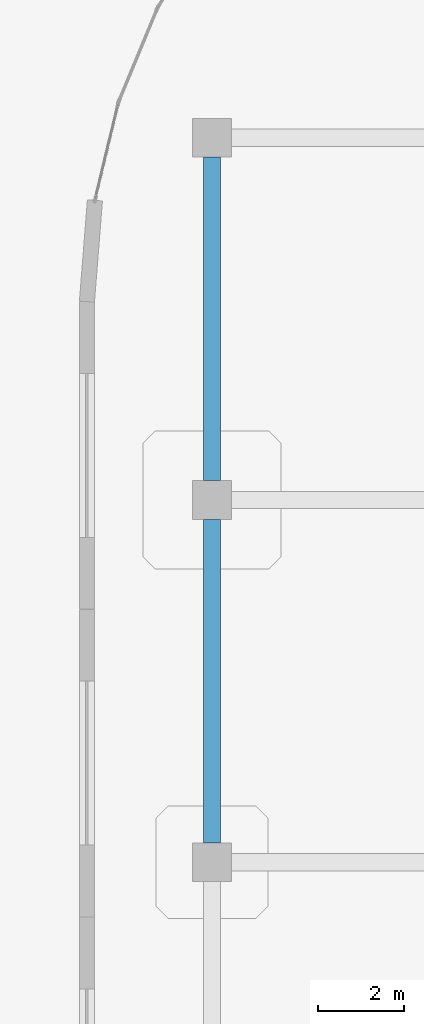
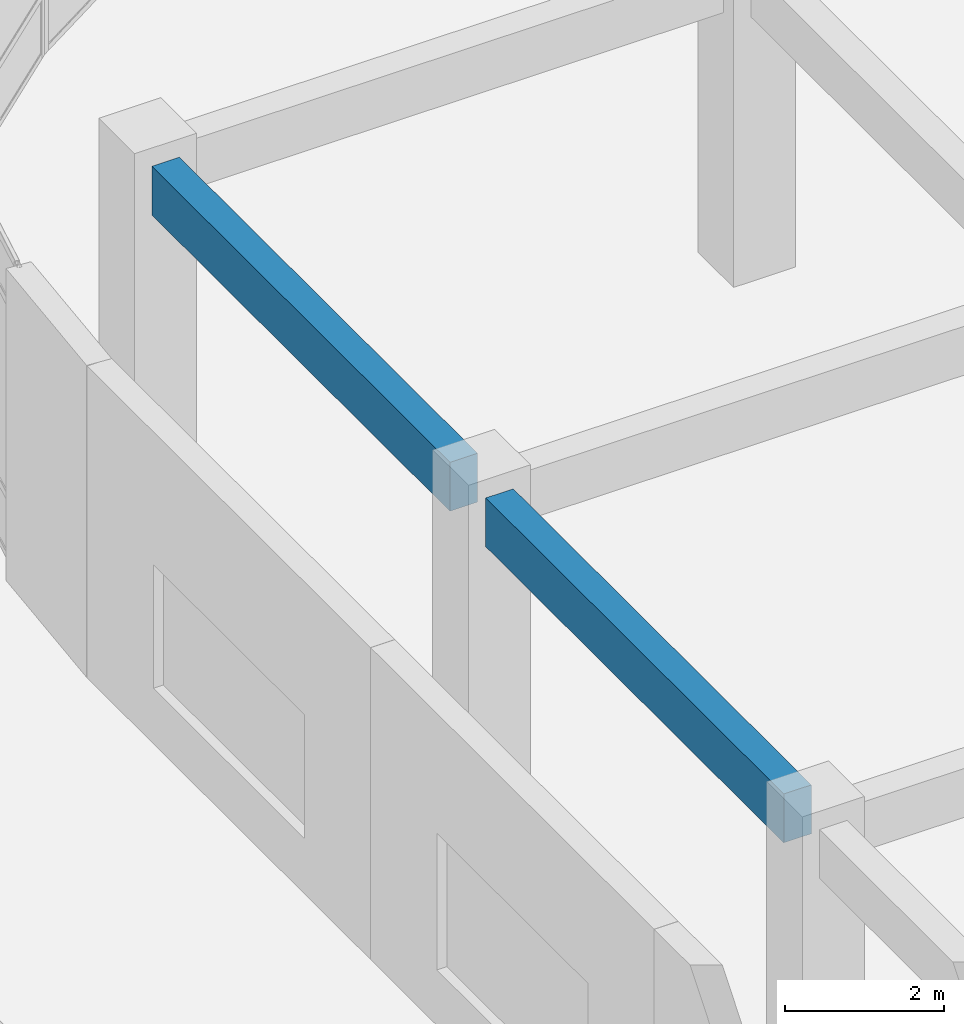
# One storey, part 50 of 120: 2 beams.
"""IFC4 building model written with IfcOpenShell, lengths in metres."""

import ifcopenshell
import ifcopenshell.guid

model = None  # the IFC model being written
_history = None  # IfcOwnerHistory: only IFC2X3 demands one
_inside = {}  # id of a spatial element -> (the spatial element, [elements in it])
_under = {}  # id of a project, library or spatial element -> (it, [spatial elements below it])
_declared = {}  # id of a project -> (the project, [libraries it declares])
_typed = {}  # id of a type object -> (the type object, [elements of that type])
_made_of = {}  # id of a material, layer set ... -> (it, [elements and type objects made of it])


def new_model(schema):
    """Start an empty IFC model of exactly this schema.

    Asked for "IFC4X3", IfcOpenShell would pick the latest addendum, in which some entities
    have other attributes; the version numbers below select the first issue.
    IFC2X3 requires an IfcOwnerHistory on every rooted entity: one is made here for all.
    """
    global model, _history
    if schema == "IFC4X3":
        model = ifcopenshell.file(schema_version=(4, 3, 0, 0))
    else:
        model = ifcopenshell.file(schema=schema)
    _inside.clear()
    _under.clear()
    _declared.clear()
    _typed.clear()
    _made_of.clear()
    _history = None
    if model.schema == "IFC2X3":
        org = make("IfcOrganization", Name="unknown")
        user = make(
            "IfcPersonAndOrganization",
            ThePerson=make("IfcPerson", FamilyName="unknown"),
            TheOrganization=org,
        )
        app = make(
            "IfcApplication",
            ApplicationDeveloper=org,
            Version="unknown",
            ApplicationFullName="unknown",
            ApplicationIdentifier="unknown",
        )
        _history = make(
            "IfcOwnerHistory",
            OwningUser=user,
            OwningApplication=app,
            ChangeAction="ADDED",
            CreationDate=0,
        )
    return model


def make(cls, **values):
    """One entity of the class cls with the attributes given. An attribute that is None is left unset."""
    return model.create_entity(
        cls, **{name: value for name, value in values.items() if value is not None}
    )


def rooted(cls, **values):
    """An entity with a GlobalId (a new one), such as an element, a storey or a relation."""
    return make(cls, GlobalId=ifcopenshell.guid.new(), OwnerHistory=_history, **values)


def si_unit(unit_type, name, prefix=None):
    """IfcSIUnit, for example si_unit("LENGTHUNIT", "METRE", prefix="MILLI")."""
    return make("IfcSIUnit", UnitType=unit_type, Prefix=prefix, Name=name)


def derived_unit(unit_type, elements):
    """IfcDerivedUnit: a product of units, each with its exponent."""
    return make(
        "IfcDerivedUnit",
        Elements=[
            make("IfcDerivedUnitElement", Unit=unit, Exponent=power)
            for unit, power in elements
        ],
        UnitType=unit_type,
    )


def assignment(units):
    """IfcUnitAssignment: the units of a project."""
    return None if units is None else make("IfcUnitAssignment", Units=units)


def point(xyz):
    """IfcCartesianPoint."""
    return None if xyz is None else make("IfcCartesianPoint", Coordinates=xyz)


def direction(xyz):
    """IfcDirection."""
    return None if xyz is None else make("IfcDirection", DirectionRatios=xyz)


def frame(location, z_axis=None, x_axis=None):
    """IfcAxis2Placement3D, a coordinate frame: its origin and axes. An axis left out is left unset."""
    return make(
        "IfcAxis2Placement3D",
        Location=point(location),
        Axis=direction(z_axis),
        RefDirection=direction(x_axis),
    )


def frame_2d(location, x_axis=None):
    """IfcAxis2Placement2D, a coordinate frame in the plane: its origin and x axis."""
    return make(
        "IfcAxis2Placement2D", Location=point(location), RefDirection=direction(x_axis)
    )


def origin():
    """The frame at (0, 0, 0) with its axes left unset."""
    return frame((0.0, 0.0, 0.0))


def origin_2d():
    """The frame at (0, 0) in the plane with its x axis left unset."""
    return frame_2d((0.0, 0.0))


def place(relative_to, where):
    """IfcLocalPlacement: puts the frame where relative to a parent placement (None: the world)."""
    return make(
        "IfcLocalPlacement", PlacementRelTo=relative_to, RelativePlacement=where
    )


def context(
    kind, dimensions, precision=None, world=None, true_north=None, identifier=None
):
    """IfcGeometricRepresentationContext, for example the 3D "Model" context."""
    return make(
        "IfcGeometricRepresentationContext",
        ContextIdentifier=identifier,
        ContextType=kind,
        CoordinateSpaceDimension=dimensions,
        Precision=precision,
        WorldCoordinateSystem=world,
        TrueNorth=true_north,
    )


def subcontext(parent, identifier, kind, view, scale=None):
    """IfcGeometricRepresentationSubContext, for example "Body" below "Model"."""
    return make(
        "IfcGeometricRepresentationSubContext",
        ContextIdentifier=identifier,
        ContextType=kind,
        ParentContext=parent,
        TargetScale=scale,
        TargetView=view,
    )


def project(units=None, contexts=None):
    """IfcProject with its units and contexts."""
    return rooted(
        "IfcProject",
        Name="project",
        RepresentationContexts=contexts,
        UnitsInContext=assignment(units),
    )


def spatial(cls, under=None, at=None, **own):
    """A site, building, storey or space (cls), placed at a placement, below another one or the project."""
    s = rooted(cls, ObjectPlacement=at, **own)
    if under is not None:
        _under.setdefault(under.id(), (under, []))[1].append(s)
    return s


def profile(cls, at=None, kind="AREA", **sizes):
    """A parametric profile (cls). Its sizes go by their IFC names, for example OverallWidth=200.0."""
    return make(cls, ProfileType=kind, Position=at, **sizes)


def rectangle(**sizes):
    """IfcRectangleProfileDef."""
    return profile("IfcRectangleProfileDef", **sizes)


def extrude(swept, where, along, depth):
    """IfcExtrudedAreaSolid: the profile swept, set in the frame where, extruded along a direction by depth."""
    return make(
        "IfcExtrudedAreaSolid",
        SweptArea=swept,
        Position=where,
        ExtrudedDirection=direction(along),
        Depth=depth,
    )


def shape(context_of_items, identifier, shape_type, items):
    """IfcShapeRepresentation: the items that make up one representation, for example the "Body"."""
    return make(
        "IfcShapeRepresentation",
        ContextOfItems=context_of_items,
        RepresentationIdentifier=identifier,
        RepresentationType=shape_type,
        Items=items,
    )


def material(Name=None, Category=None):
    """IfcMaterial."""
    return make("IfcMaterial", Name=Name, Category=Category)


def material_profile(
    of_material, cross_section, Name=None, Category=None, Priority=None
):
    """IfcMaterialProfile: a cross section and its material."""
    return make(
        "IfcMaterialProfile",
        Name=Name,
        Material=of_material,
        Profile=cross_section,
        Priority=Priority,
        Category=Category,
    )


def profile_set(profiles, Name=None, composite=None):
    """IfcMaterialProfileSet."""
    return make(
        "IfcMaterialProfileSet",
        Name=Name,
        MaterialProfiles=profiles,
        CompositeProfile=composite,
    )


def made_of(thing, what):
    """Note that an element or type object is made of a material, layer set ...; save() writes the relation."""
    if what is not None:
        _made_of.setdefault(what.id(), (what, []))[1].append(thing)
    return thing


def type_object(cls, material=None, **own):
    """A type object (cls), such as IfcWallType, which elements share."""
    return made_of(rooted(cls, **own), material)


def element(
    cls,
    number,
    at=None,
    inside=None,
    cuts=None,
    type_object=None,
    material=None,
    context=None,
    identifier="Body",
    shape_type=None,
    held_by="IfcProductDefinitionShape",
    body=None,
    shapes=None,
    **own,
):
    """One element of the class cls, such as IfcWall. Its Tag is "e" and its number.

    at: its placement. inside: the storey or other place that contains it. cuts: it is an
    opening in that element (IfcRelVoidsElement). A single representation is given by context,
    identifier, shape_type and body (its items); several are given by shapes. held_by: the class
    of the entity that holds the representations. save() writes the other relations.
    """
    e = rooted(cls, Tag="e%d" % number, ObjectPlacement=at, **own)
    if body is not None:
        shapes = [shape(context, identifier, shape_type, body)]
    if shapes is not None:
        e.Representation = make(held_by, Representations=shapes)
    if inside is not None:
        _inside.setdefault(inside.id(), (inside, []))[1].append(e)
    if cuts is not None:
        rooted(
            "IfcRelVoidsElement", RelatingBuildingElement=cuts, RelatedOpeningElement=e
        )
    if type_object is not None:
        _typed.setdefault(type_object.id(), (type_object, []))[1].append(e)
    return made_of(e, material)


def aggregate(whole, parts):
    """IfcRelAggregates: a whole, such as a stair, and the parts it consists of."""
    return rooted("IfcRelAggregates", RelatingObject=whole, RelatedObjects=parts)


def save(model, path):
    """Write the relations noted so far, then the file.

    IfcRelAggregates (storeys below a building ...), IfcRelContainedInSpatialStructure (elements
    in a storey), IfcRelDefinesByType, IfcRelAssociatesMaterial and IfcRelDeclares: one each for
    every whole, place, type object, material and project.
    """
    for whole, parts in _under.values():
        aggregate(whole, parts)
    for where, things in _inside.values():
        rooted(
            "IfcRelContainedInSpatialStructure",
            RelatedElements=things,
            RelatingStructure=where,
        )
    for kind, things in _typed.values():
        rooted("IfcRelDefinesByType", RelatedObjects=things, RelatingType=kind)
    for what, things in _made_of.values():
        rooted("IfcRelAssociatesMaterial", RelatedObjects=things, RelatingMaterial=what)
    for by, libraries in _declared.values():
        rooted("IfcRelDeclares", RelatingContext=by, RelatedDefinitions=libraries)
    model.write(path)


model = new_model("IFC4")

# Units and contexts
model_context = context("Model", 3, precision=1e-05, world=origin(), true_north=direction((0.0, 1.0)))
body_context = subcontext(model_context, "Body", "Model", "MODEL_VIEW")
ifc_project = project(units=[si_unit("LENGTHUNIT", "METRE"), si_unit("AREAUNIT", "SQUARE_METRE"), si_unit("VOLUMEUNIT", "CUBIC_METRE"), si_unit("PLANEANGLEUNIT", "RADIAN"), si_unit("MASSUNIT", "GRAM", prefix="KILO"), derived_unit("THERMALTRANSMITTANCEUNIT", [(si_unit("MASSUNIT", "GRAM", prefix="KILO"), 1), (si_unit("TIMEUNIT", "SECOND"), -3), (si_unit("THERMODYNAMICTEMPERATUREUNIT", "KELVIN"), -1)])], contexts=[model_context])

# Site, building, storey
site_placement = place(None, origin())
site = spatial("IfcSite", under=ifc_project, at=site_placement, CompositionType="ELEMENT")
building_placement = place(site_placement, origin())
building = spatial("IfcBuilding", under=site, at=building_placement, Name="Qinzheling Arcade Emporium", CompositionType="ELEMENT")
storey_placement = place(building_placement, frame((0.0, 0.0, 11.39990234375)))
storey = spatial("IfcBuildingStorey", under=building, at=storey_placement, Name="L03", CompositionType="ELEMENT", Elevation=11.39990234375)

# Beams
ifc_material = material(Name="Concrete C40", Category="concrete")
ifc_material_profile = material_profile(ifc_material, rectangle(XDim=0.39990234375, YDim=0.75, at=origin_2d()), Name="RC 400x750", Category="concrete")
ifc_profile_set = profile_set([ifc_material_profile], Name="Concrete C40")
beam_type = type_object("IfcBeamType", Name="RC Interior Tie Beam 400x750 C40", PredefinedType="BEAM", material=ifc_profile_set)
for number, where, z_axis, x_axis, name in (
    (1, (60.89990234375, 82.64990234375, 4.445068359375), (0.0, 1.0, 0.0), (-1.0, 0.0, 0.0), "Beam BM-L03-Y-8-K"),
    (2, (60.89990234375, 91.050048828125, 4.445068359375), (0.0, 1.0, 0.0), (-1.0, 0.0, 0.0), "Beam BM-L03-Y-8-L"),
):
    element("IfcBeam", number, at=place(storey_placement, frame(where, z_axis=z_axis, x_axis=x_axis)), inside=storey, type_object=beam_type, Name=name, PredefinedType="BEAM", context=body_context, shape_type="SweptSolid", body=[
        extrude(rectangle(XDim=0.39990234375, YDim=0.75, at=origin_2d()), origin(), (0.0, 0.0, 1.0), 7.5),
    ])

save(model, "model.ifc")
